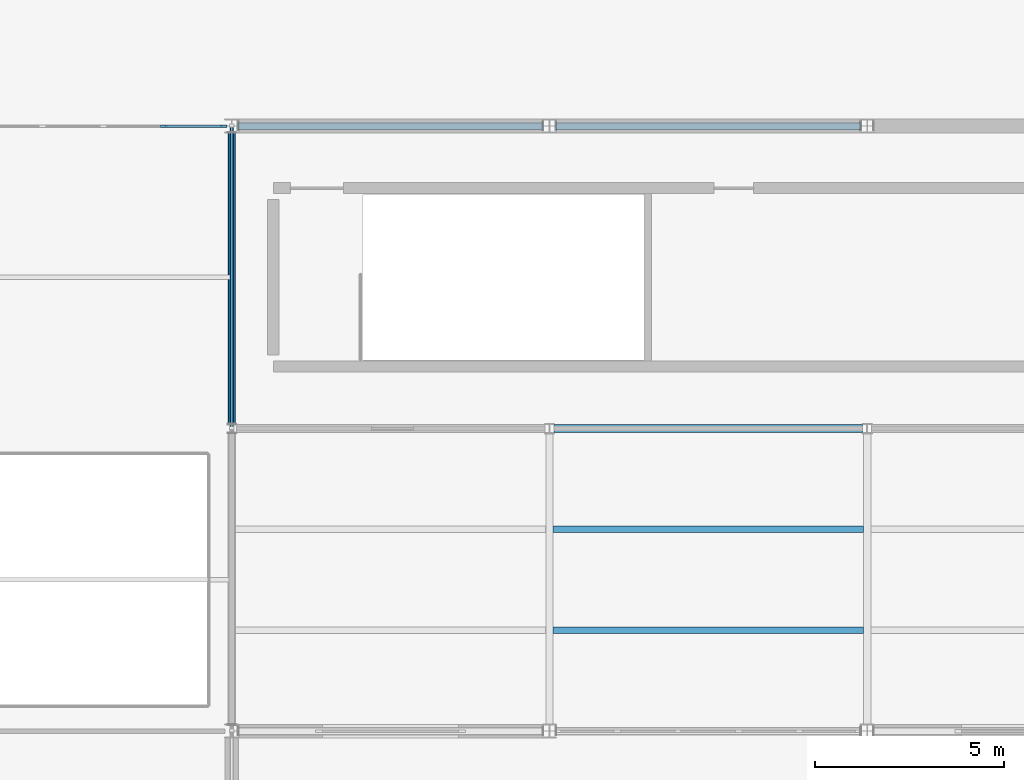
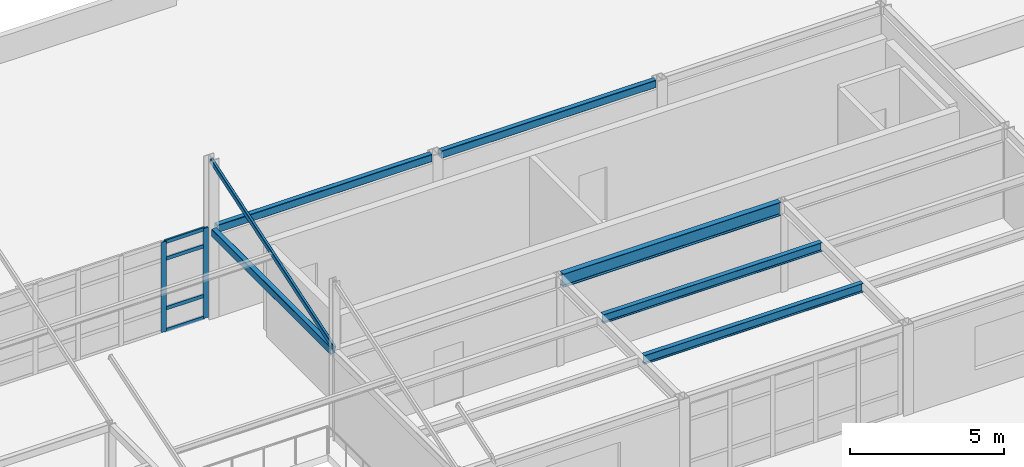
# One storey, part 16 of 96: 7 members, 6 beams, 1 element without a shape of its own.
"""IFC4 building model written with IfcOpenShell, lengths in metres."""

import ifcopenshell
import ifcopenshell.guid

model = None  # the IFC model being written
_history = None  # IfcOwnerHistory: only IFC2X3 demands one
_inside = {}  # id of a spatial element -> (the spatial element, [elements in it])
_under = {}  # id of a project, library or spatial element -> (it, [spatial elements below it])
_declared = {}  # id of a project -> (the project, [libraries it declares])
_typed = {}  # id of a type object -> (the type object, [elements of that type])
_made_of = {}  # id of a material, layer set ... -> (it, [elements and type objects made of it])


def new_model(schema):
    """Start an empty IFC model of exactly this schema.

    Asked for "IFC4X3", IfcOpenShell would pick the latest addendum, in which some entities
    have other attributes; the version numbers below select the first issue.
    IFC2X3 requires an IfcOwnerHistory on every rooted entity: one is made here for all.
    """
    global model, _history
    if schema == "IFC4X3":
        model = ifcopenshell.file(schema_version=(4, 3, 0, 0))
    else:
        model = ifcopenshell.file(schema=schema)
    _inside.clear()
    _under.clear()
    _declared.clear()
    _typed.clear()
    _made_of.clear()
    _history = None
    if model.schema == "IFC2X3":
        org = make("IfcOrganization", Name="unknown")
        user = make(
            "IfcPersonAndOrganization",
            ThePerson=make("IfcPerson", FamilyName="unknown"),
            TheOrganization=org,
        )
        app = make(
            "IfcApplication",
            ApplicationDeveloper=org,
            Version="unknown",
            ApplicationFullName="unknown",
            ApplicationIdentifier="unknown",
        )
        _history = make(
            "IfcOwnerHistory",
            OwningUser=user,
            OwningApplication=app,
            ChangeAction="ADDED",
            CreationDate=0,
        )
    return model


def make(cls, **values):
    """One entity of the class cls with the attributes given. An attribute that is None is left unset."""
    return model.create_entity(
        cls, **{name: value for name, value in values.items() if value is not None}
    )


def rooted(cls, **values):
    """An entity with a GlobalId (a new one), such as an element, a storey or a relation."""
    return make(cls, GlobalId=ifcopenshell.guid.new(), OwnerHistory=_history, **values)


def si_unit(unit_type, name, prefix=None):
    """IfcSIUnit, for example si_unit("LENGTHUNIT", "METRE", prefix="MILLI")."""
    return make("IfcSIUnit", UnitType=unit_type, Prefix=prefix, Name=name)


def assignment(units):
    """IfcUnitAssignment: the units of a project."""
    return None if units is None else make("IfcUnitAssignment", Units=units)


def point(xyz):
    """IfcCartesianPoint."""
    return None if xyz is None else make("IfcCartesianPoint", Coordinates=xyz)


def direction(xyz):
    """IfcDirection."""
    return None if xyz is None else make("IfcDirection", DirectionRatios=xyz)


def frame(location, z_axis=None, x_axis=None):
    """IfcAxis2Placement3D, a coordinate frame: its origin and axes. An axis left out is left unset."""
    return make(
        "IfcAxis2Placement3D",
        Location=point(location),
        Axis=direction(z_axis),
        RefDirection=direction(x_axis),
    )


def frame_2d(location, x_axis=None):
    """IfcAxis2Placement2D, a coordinate frame in the plane: its origin and x axis."""
    return make(
        "IfcAxis2Placement2D", Location=point(location), RefDirection=direction(x_axis)
    )


def origin():
    """The frame at (0, 0, 0) with its axes left unset."""
    return frame((0.0, 0.0, 0.0))


def origin_2d():
    """The frame at (0, 0) in the plane with its x axis left unset."""
    return frame_2d((0.0, 0.0))


def place(relative_to, where):
    """IfcLocalPlacement: puts the frame where relative to a parent placement (None: the world)."""
    return make(
        "IfcLocalPlacement", PlacementRelTo=relative_to, RelativePlacement=where
    )


def context(
    kind, dimensions, precision=None, world=None, true_north=None, identifier=None
):
    """IfcGeometricRepresentationContext, for example the 3D "Model" context."""
    return make(
        "IfcGeometricRepresentationContext",
        ContextIdentifier=identifier,
        ContextType=kind,
        CoordinateSpaceDimension=dimensions,
        Precision=precision,
        WorldCoordinateSystem=world,
        TrueNorth=true_north,
    )


def subcontext(parent, identifier, kind, view, scale=None):
    """IfcGeometricRepresentationSubContext, for example "Body" below "Model"."""
    return make(
        "IfcGeometricRepresentationSubContext",
        ContextIdentifier=identifier,
        ContextType=kind,
        ParentContext=parent,
        TargetScale=scale,
        TargetView=view,
    )


def project(units=None, contexts=None):
    """IfcProject with its units and contexts."""
    return rooted(
        "IfcProject",
        Name="project",
        RepresentationContexts=contexts,
        UnitsInContext=assignment(units),
    )


def spatial(cls, under=None, at=None, **own):
    """A site, building, storey or space (cls), placed at a placement, below another one or the project."""
    s = rooted(cls, ObjectPlacement=at, **own)
    if under is not None:
        _under.setdefault(under.id(), (under, []))[1].append(s)
    return s


def profile(cls, at=None, kind="AREA", **sizes):
    """A parametric profile (cls). Its sizes go by their IFC names, for example OverallWidth=200.0."""
    return make(cls, ProfileType=kind, Position=at, **sizes)


def rectangle(**sizes):
    """IfcRectangleProfileDef."""
    return profile("IfcRectangleProfileDef", **sizes)


def hollow_rectangle(**sizes):
    """IfcRectangleHollowProfileDef."""
    return profile("IfcRectangleHollowProfileDef", **sizes)


def i_section(**sizes):
    """IfcIShapeProfileDef."""
    return profile("IfcIShapeProfileDef", **sizes)


def extrude(swept, where, along, depth):
    """IfcExtrudedAreaSolid: the profile swept, set in the frame where, extruded along a direction by depth."""
    return make(
        "IfcExtrudedAreaSolid",
        SweptArea=swept,
        Position=where,
        ExtrudedDirection=direction(along),
        Depth=depth,
    )


def shape(context_of_items, identifier, shape_type, items):
    """IfcShapeRepresentation: the items that make up one representation, for example the "Body"."""
    return make(
        "IfcShapeRepresentation",
        ContextOfItems=context_of_items,
        RepresentationIdentifier=identifier,
        RepresentationType=shape_type,
        Items=items,
    )


def material(Name=None, Category=None):
    """IfcMaterial."""
    return make("IfcMaterial", Name=Name, Category=Category)


def layer(
    of_material, thickness, ventilated=None, Name=None, Category=None, Priority=None
):
    """IfcMaterialLayer: one layer of a wall or slab, of a material (None: an air gap)."""
    return make(
        "IfcMaterialLayer",
        Material=of_material,
        LayerThickness=thickness,
        IsVentilated=ventilated,
        Name=Name,
        Category=Category,
        Priority=Priority,
    )


def layer_set(layers, Name=None):
    """IfcMaterialLayerSet."""
    return make("IfcMaterialLayerSet", MaterialLayers=layers, LayerSetName=Name)


def material_profile(
    of_material, cross_section, Name=None, Category=None, Priority=None
):
    """IfcMaterialProfile: a cross section and its material."""
    return make(
        "IfcMaterialProfile",
        Name=Name,
        Material=of_material,
        Profile=cross_section,
        Priority=Priority,
        Category=Category,
    )


def profile_set(profiles, Name=None, composite=None):
    """IfcMaterialProfileSet."""
    return make(
        "IfcMaterialProfileSet",
        Name=Name,
        MaterialProfiles=profiles,
        CompositeProfile=composite,
    )


def made_of(thing, what):
    """Note that an element or type object is made of a material, layer set ...; save() writes the relation."""
    if what is not None:
        _made_of.setdefault(what.id(), (what, []))[1].append(thing)
    return thing


def type_object(cls, material=None, **own):
    """A type object (cls), such as IfcWallType, which elements share."""
    return made_of(rooted(cls, **own), material)


def element(
    cls,
    number,
    at=None,
    inside=None,
    cuts=None,
    type_object=None,
    material=None,
    context=None,
    identifier="Body",
    shape_type=None,
    held_by="IfcProductDefinitionShape",
    body=None,
    shapes=None,
    **own,
):
    """One element of the class cls, such as IfcWall. Its Tag is "e" and its number.

    at: its placement. inside: the storey or other place that contains it. cuts: it is an
    opening in that element (IfcRelVoidsElement). A single representation is given by context,
    identifier, shape_type and body (its items); several are given by shapes. held_by: the class
    of the entity that holds the representations. save() writes the other relations.
    """
    e = rooted(cls, Tag="e%d" % number, ObjectPlacement=at, **own)
    if body is not None:
        shapes = [shape(context, identifier, shape_type, body)]
    if shapes is not None:
        e.Representation = make(held_by, Representations=shapes)
    if inside is not None:
        _inside.setdefault(inside.id(), (inside, []))[1].append(e)
    if cuts is not None:
        rooted(
            "IfcRelVoidsElement", RelatingBuildingElement=cuts, RelatedOpeningElement=e
        )
    if type_object is not None:
        _typed.setdefault(type_object.id(), (type_object, []))[1].append(e)
    return made_of(e, material)


def aggregate(whole, parts):
    """IfcRelAggregates: a whole, such as a stair, and the parts it consists of."""
    return rooted("IfcRelAggregates", RelatingObject=whole, RelatedObjects=parts)


def save(model, path):
    """Write the relations noted so far, then the file.

    IfcRelAggregates (storeys below a building ...), IfcRelContainedInSpatialStructure (elements
    in a storey), IfcRelDefinesByType, IfcRelAssociatesMaterial and IfcRelDeclares: one each for
    every whole, place, type object, material and project.
    """
    for whole, parts in _under.values():
        aggregate(whole, parts)
    for where, things in _inside.values():
        rooted(
            "IfcRelContainedInSpatialStructure",
            RelatedElements=things,
            RelatingStructure=where,
        )
    for kind, things in _typed.values():
        rooted("IfcRelDefinesByType", RelatedObjects=things, RelatingType=kind)
    for what, things in _made_of.values():
        rooted("IfcRelAssociatesMaterial", RelatedObjects=things, RelatingMaterial=what)
    for by, libraries in _declared.values():
        rooted("IfcRelDeclares", RelatingContext=by, RelatedDefinitions=libraries)
    model.write(path)


model = new_model("IFC4")

# Units and contexts
model_context = context("Model", 3, precision=1e-05, world=origin(), true_north=direction((0.0, 1.0)))
body_context = subcontext(model_context, "Body", "Model", "MODEL_VIEW")
ifc_project = project(units=[si_unit("LENGTHUNIT", "METRE"), si_unit("AREAUNIT", "SQUARE_METRE"), si_unit("VOLUMEUNIT", "CUBIC_METRE"), si_unit("PLANEANGLEUNIT", "RADIAN"), si_unit("MASSUNIT", "GRAM", prefix="KILO")], contexts=[model_context])

# Site, building, storey
site_placement = place(None, origin())
site = spatial("IfcSite", under=ifc_project, at=site_placement, CompositionType="ELEMENT")
building_placement = place(site_placement, origin())
building = spatial("IfcBuilding", under=site, at=building_placement, Name="Kranzveld Transit Interchange", CompositionType="ELEMENT")
storey_placement = place(building_placement, frame((0.0, 0.0, 9.52001953125)))
storey = spatial("IfcBuildingStorey", under=building, at=storey_placement, Name="L02", CompositionType="ELEMENT", Elevation=9.52001953125)

# Curtain wall, members
ifc_material_1 = material(Name="Bronze-anodised thermally broken aluminium", Category="aluminium")
ifc_layer = layer(ifc_material_1, 0.18505859375)
ifc_layer_set = layer_set([ifc_layer], Name="Bronze-anodised thermally broken aluminium")
curtain_wall_type = type_object("IfcCurtainWallType", Name="Control Crown Observation Facade CW-5", PredefinedType="USERDEFINED", material=ifc_layer_set)
curtain_wall_placement = place(storey_placement, origin())
curtain_wall = element("IfcCurtainWall", 1, at=curtain_wall_placement, inside=storey, type_object=curtain_wall_type, Name="L02 Curtain Wall 06/F-07/F", ObjectType="CURTAIN WALL", PredefinedType="USERDEFINED")
ifc_material_2 = material(Name="Bronze-anodised thermally broken aluminium", Category="aluminium")
ifc_material_profile_1 = material_profile(ifc_material_2, rectangle(XDim=0.06494140625, YDim=0.179931640625, at=origin_2d()), Name="ALU MULLION 65x180")
ifc_profile_set_1 = profile_set([ifc_material_profile_1], Name="Bronze-anodised thermally broken aluminium")
member_type_1 = type_object("IfcMemberType", Name="Curtain Wall Mullion 65x180 Alu", PredefinedType="MULLION", material=ifc_profile_set_1)
member_1_placement = place(storey_placement, frame((48.607666015625, 40.0, 0.0), z_axis=(0.0, 0.0, 1.0), x_axis=(0.0, 1.0, 0.0)))
member_1 = element("IfcMember", 2, at=member_1_placement, type_object=member_type_1, Name="CW-5 mullion 5", PredefinedType="MULLION", context=body_context, shape_type="SweptSolid", body=[
    extrude(rectangle(XDim=0.06494140625, YDim=0.179931640625, at=origin_2d()), origin(), (0.0, 0.0, 1.0), 3.570068359375),
])
member_2_placement = place(storey_placement, frame((50.18017578125, 40.0, 0.0), z_axis=(0.0, 0.0, 1.0), x_axis=(0.0, 1.0, 0.0)))
member_2 = element("IfcMember", 3, at=member_2_placement, type_object=member_type_1, Name="CW-5 mullion 6", PredefinedType="MULLION", context=body_context, shape_type="SweptSolid", body=[
    extrude(rectangle(XDim=0.06494140625, YDim=0.179931640625, at=origin_2d()), origin(), (0.0, 0.0, 1.0), 3.570068359375),
])
ifc_material_3 = material(Name="Bronze-anodised thermally broken aluminium", Category="aluminium")
ifc_material_profile_2 = material_profile(ifc_material_3, rectangle(XDim=0.06494140625, YDim=0.139892578125, at=origin_2d()), Name="ALU TRANSOM 65x140")
ifc_profile_set_2 = profile_set([ifc_material_profile_2], Name="Bronze-anodised thermally broken aluminium")
member_type_2 = type_object("IfcMemberType", Name="Curtain Wall Transom 65x140 Alu", PredefinedType="USERDEFINED", material=ifc_profile_set_2)
member_3_placement = place(storey_placement, frame((48.64013671875, 40.0, 0.032470703125), z_axis=(1.0, 0.0, 0.0), x_axis=(0.0, 1.0, 0.0)))
member_3 = element("IfcMember", 4, at=member_3_placement, type_object=member_type_2, Name="CW-5 transom 5.1", ObjectType="TRANSOM", PredefinedType="USERDEFINED", context=body_context, shape_type="SweptSolid", body=[
    extrude(rectangle(XDim=0.06494140625, YDim=0.139892578125, at=origin_2d()), origin(), (0.0, 0.0, 1.0), 1.507568359375),
])
member_4_placement = place(storey_placement, frame((48.64013671875, 40.0, 0.89990234375), z_axis=(1.0, 0.0, 0.0), x_axis=(0.0, 1.0, 0.0)))
member_4 = element("IfcMember", 5, at=member_4_placement, type_object=member_type_2, Name="CW-5 transom 5.2", ObjectType="TRANSOM", PredefinedType="USERDEFINED", context=body_context, shape_type="SweptSolid", body=[
    extrude(rectangle(XDim=0.06494140625, YDim=0.139892578125, at=origin_2d()), origin(), (0.0, 0.0, 1.0), 1.507568359375),
])
member_5_placement = place(storey_placement, frame((48.64013671875, 40.0, 2.869873046875), z_axis=(1.0, 0.0, 0.0), x_axis=(0.0, 1.0, 0.0)))
member_5 = element("IfcMember", 6, at=member_5_placement, type_object=member_type_2, Name="CW-5 transom 5.3", ObjectType="TRANSOM", PredefinedType="USERDEFINED", context=body_context, shape_type="SweptSolid", body=[
    extrude(rectangle(XDim=0.06494140625, YDim=0.139892578125, at=origin_2d()), origin(), (0.0, 0.0, 1.0), 1.507568359375),
])
member_6_placement = place(storey_placement, frame((48.64013671875, 40.0, 3.53759765625), z_axis=(1.0, 0.0, 0.0), x_axis=(0.0, 1.0, 0.0)))
member_6 = element("IfcMember", 7, at=member_6_placement, type_object=member_type_2, Name="CW-5 transom 5.4", ObjectType="TRANSOM", PredefinedType="USERDEFINED", context=body_context, shape_type="SweptSolid", body=[
    extrude(rectangle(XDim=0.06494140625, YDim=0.139892578125, at=origin_2d()), origin(), (0.0, 0.0, 1.0), 1.507568359375),
])
aggregate(curtain_wall, [member_1, member_2, member_3, member_4, member_5, member_6])

# Beams
ifc_material_4 = material(Name="Steel S355JR", Category="steel")
ifc_material_profile_3 = material_profile(ifc_material_4, hollow_rectangle(XDim=0.199951171875, YDim=0.300048828125, WallThickness=0.010009765625, InnerFilletRadius=0.014892578125, OuterFilletRadius=0.02490234375, at=origin_2d()), Name="RHS 300x200x10")
ifc_profile_set_3 = profile_set([ifc_material_profile_3], Name="Steel S355JR")
beam_type_1 = type_object("IfcBeamType", Name="Edge Spandrel RHS 300x200x10 S355JR", PredefinedType="SPANDREL", material=ifc_profile_set_3)
for number, where, z_axis, x_axis, name in (
    (8, (50.577392578125, 40.0, 3.419921875), (1.0, 0.0, 0.0), (0.0, 1.0, 0.0), "L02 Girder 07-08/F"),
    (9, (58.977294921875, 40.0, 3.419921875), (1.0, 0.0, 0.0), (0.0, 1.0, 0.0), "L02 Girder 08-09/F"),
):
    element("IfcBeam", number, at=place(storey_placement, frame(where, z_axis=z_axis, x_axis=x_axis)), inside=storey, type_object=beam_type_1, Name=name, PredefinedType="SPANDREL", context=body_context, shape_type="SweptSolid", body=[
        extrude(hollow_rectangle(XDim=0.199951171875, YDim=0.300048828125, WallThickness=0.010009765625, InnerFilletRadius=0.014892578125, OuterFilletRadius=0.02490234375, at=origin_2d()), origin(), (0.0, 0.0, 1.0), 8.04541015625),
    ])
beam_1_placement = place(storey_placement, frame((50.39990234375, 32.123291015625, 3.419921875), z_axis=(0.0, 1.0, 0.0), x_axis=(-1.0, 0.0, 0.0)))
element("IfcBeam", 10, at=beam_1_placement, inside=storey, type_object=beam_type_1, Name="L02 Girder 07/E-F", PredefinedType="SPANDREL", context=body_context, shape_type="SweptSolid", body=[
    extrude(hollow_rectangle(XDim=0.199951171875, YDim=0.300048828125, WallThickness=0.010009765625, InnerFilletRadius=0.014892578125, OuterFilletRadius=0.02490234375, at=origin_2d()), origin(), (0.0, 0.0, 1.0), 7.699462890625),
])
ifc_material_5 = material(Name="Steel S355JR", Category="steel")
ifc_material_profile_4 = material_profile(ifc_material_5, i_section(OverallWidth=0.171142578125, OverallDepth=0.351318359375, WebThickness=0.007080078125, FlangeThickness=0.009765625, FilletRadius=0.01025390625, at=origin_2d()), Name="UB 356x171x45")
ifc_profile_set_4 = profile_set([ifc_material_profile_4], Name="Steel S355JR")
beam_type_2 = type_object("IfcBeamType", Name="Floor Joist UB 356x171x45 S355JR", PredefinedType="JOIST", material=ifc_profile_set_4)
for number, where, z_axis, x_axis, name in (
    (11, (58.89794921875, 26.666748046875, 3.394287109375), (1.0, 0.0, 0.0), (0.0, 1.0, 0.0), "L02 Secondary Joist 08-09/D.1"),
    (12, (58.89794921875, 29.333251953125, 3.394287109375), (1.0, 0.0, 0.0), (0.0, 1.0, 0.0), "L02 Secondary Joist 08-09/D.2"),
):
    element("IfcBeam", number, at=place(storey_placement, frame(where, z_axis=z_axis, x_axis=x_axis)), inside=storey, type_object=beam_type_2, Name=name, PredefinedType="JOIST", context=body_context, shape_type="SweptSolid", body=[
        extrude(i_section(OverallWidth=0.171142578125, OverallDepth=0.351318359375, WebThickness=0.007080078125, FlangeThickness=0.009765625, FilletRadius=0.01025390625, at=origin_2d()), origin(), (0.0, 0.0, 1.0), 8.2041015625),
    ])
ifc_material_6 = material(Name="Steel S355JR", Category="steel")
ifc_material_profile_5 = material_profile(ifc_material_6, i_section(OverallWidth=0.209228515625, OverallDepth=0.533203125, WebThickness=0.010009765625, FlangeThickness=0.015625, FilletRadius=0.0126953125, at=origin_2d()), Name="UB 533x210x92")
ifc_profile_set_5 = profile_set([ifc_material_profile_5], Name="Steel S355JR")
beam_type_3 = type_object("IfcBeamType", Name="Girder Steel UB 533x210x92 S355JR", PredefinedType="BEAM", material=ifc_profile_set_5)
beam_2_placement = place(storey_placement, frame((58.91943359375, 32.0, 3.303466796875), z_axis=(1.0, 0.0, 0.0), x_axis=(0.0, 1.0, 0.0)))
element("IfcBeam", 13, at=beam_2_placement, inside=storey, type_object=beam_type_3, Name="L02 Girder 08-09/E", PredefinedType="BEAM", context=body_context, shape_type="SweptSolid", body=[
    extrude(i_section(OverallWidth=0.209228515625, OverallDepth=0.533203125, WebThickness=0.010009765625, FlangeThickness=0.015625, FilletRadius=0.0126953125, at=origin_2d()), origin(), (0.0, 0.0, 1.0), 8.1611328125),
])

# Member
ifc_material_7 = material(Name="Steel S355JR", Category="steel")
ifc_material_profile_6 = material_profile(ifc_material_7, hollow_rectangle(XDim=0.10009765625, YDim=0.199951171875, WallThickness=0.008056640625, InnerFilletRadius=0.011962890625, OuterFilletRadius=0.02001953125, at=origin_2d()), Name="RHS 200x100x8")
ifc_profile_set_6 = profile_set([ifc_material_profile_6], Name="Steel S355JR")
member_type_3 = type_object("IfcMemberType", Name="Truss Chord RHS 200x100x8 S355JR", PredefinedType="CHORD", material=ifc_profile_set_6)
member_7_placement = place(storey_placement, frame((50.39990234375, 32.0, 3.56005859375), z_axis=(0.0, 0.951039187484, 0.309070321885), x_axis=(-1.0, 0.0, 0.0)))
element("IfcMember", 14, at=member_7_placement, inside=storey, type_object=member_type_3, Name="Sawtooth Rafter Chord 07/E", PredefinedType="CHORD", context=body_context, shape_type="SweptSolid", body=[
    extrude(hollow_rectangle(XDim=0.10009765625, YDim=0.199951171875, WallThickness=0.008056640625, InnerFilletRadius=0.011962890625, OuterFilletRadius=0.02001953125, at=origin_2d()), origin(), (0.0, 0.0, 1.0), 8.411865234375),
])

save(model, "model.ifc")
